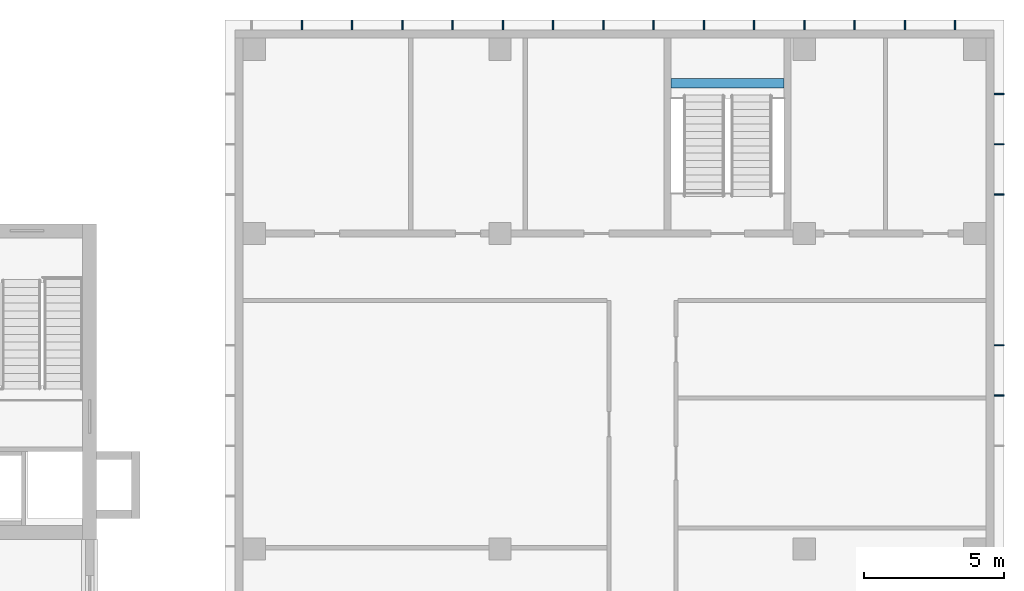
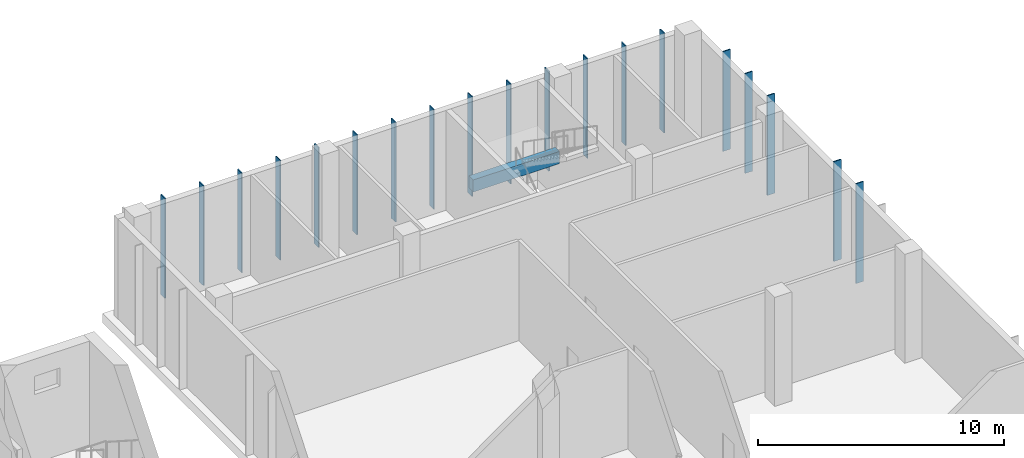
# One storey, part 13 of 38: 19 members, 1 beam.
"""IFC4 building model written with IfcOpenShell, lengths in metres."""

from ifc_helpers import new_model, si_unit, direction, frame, origin, origin_2d, place, context, subcontext, project, spatial, rectangle, extrude, material, material_profile, profile_set, type_object, element, save


model = new_model("IFC4")

# Units and contexts
model_context = context("Model", 3, precision=1e-05, world=origin(), true_north=direction((0.0, 1.0)))
body_context = subcontext(model_context, "Body", "Model", "MODEL_VIEW")
ifc_project = project(units=[si_unit("LENGTHUNIT", "METRE"), si_unit("AREAUNIT", "SQUARE_METRE"), si_unit("VOLUMEUNIT", "CUBIC_METRE"), si_unit("PLANEANGLEUNIT", "RADIAN"), si_unit("MASSUNIT", "GRAM", prefix="KILO")], contexts=[model_context])

# Site, building, storey
site_placement = place(None, origin())
site = spatial("IfcSite", under=ifc_project, at=site_placement, CompositionType="ELEMENT")
building_placement = place(site_placement, origin())
building = spatial("IfcBuilding", under=site, at=building_placement, Name="Basin Gate Institute", CompositionType="ELEMENT")
storey_placement = place(building_placement, frame((0.0, 0.0, 16.800048828125)))
storey = spatial("IfcBuildingStorey", under=building, at=storey_placement, Name="L03", CompositionType="ELEMENT", Elevation=16.800048828125)

# Beam
ifc_material_1 = material(Name="Concrete 40 MPa", Category="concrete")
ifc_material_profile_1 = material_profile(ifc_material_1, rectangle(XDim=0.35009765625, YDim=0.60009765625, at=origin_2d()), Name="Beam B4 350 x 600")
ifc_profile_set_1 = profile_set([ifc_material_profile_1], Name="Concrete 40 MPa")
beam_type = type_object("IfcBeamType", Name="Beam B4 R180", PredefinedType="BEAM", material=ifc_profile_set_1)
beam_placement = place(storey_placement, frame((139.625, 105.183837890625, 2.199951171875), z_axis=(1.0, 0.0, 0.0), x_axis=(0.0, 1.0, 0.0)))
element("IfcBeam", 1, at=beam_placement, inside=storey, type_object=beam_type, material=ifc_profile_set_1, Name="Stair landing beam ST-C8 L03", PredefinedType="BEAM", context=body_context, shape_type="SweptSolid", body=[
    extrude(rectangle(XDim=0.35009765625, YDim=0.60009765625, at=origin_2d()), origin(), (0.0, 0.0, 1.0), 4.050048828125),
])

# Members
ifc_material_2 = material(Name="Anodised aluminium", Category="aluminium")
ifc_material_profile_2 = material_profile(ifc_material_2, rectangle(XDim=0.050048828125, YDim=0.35009765625, at=origin_2d()), Name="Louvre fin CF1 50 x 350")
ifc_profile_set_2 = profile_set([ifc_material_profile_2], Name="Anodised aluminium")
member_type = type_object("IfcMemberType", Name="Louvre fin CF1", PredefinedType="PLATE", material=ifc_profile_set_2)
for number, where, z_axis, x_axis, name in (
    (2, (126.39990234375, 107.27490234375, 0.0), (0.0, 0.0, 1.0), (1.0, 0.0, 0.0), "Louvre fin CF1 N2 L03"),
    (3, (128.199951171875, 107.27490234375, 0.0), (0.0, 0.0, 1.0), (1.0, 0.0, 0.0), "Louvre fin CF1 N3 L03"),
    (4, (130.0, 107.27490234375, 0.0), (0.0, 0.0, 1.0), (1.0, 0.0, 0.0), "Louvre fin CF1 N4 L03"),
    (5, (131.800048828125, 107.27490234375, 0.0), (0.0, 0.0, 1.0), (1.0, 0.0, 0.0), "Louvre fin CF1 N5 L03"),
    (6, (133.60009765625, 107.27490234375, 0.0), (0.0, 0.0, 1.0), (1.0, 0.0, 0.0), "Louvre fin CF1 N6 L03"),
    (7, (135.39990234375, 107.27490234375, 0.0), (0.0, 0.0, 1.0), (1.0, 0.0, 0.0), "Louvre fin CF1 N7 L03"),
    (8, (137.199951171875, 107.27490234375, 0.0), (0.0, 0.0, 1.0), (1.0, 0.0, 0.0), "Louvre fin CF1 N8 L03"),
    (9, (139.0, 107.27490234375, 0.0), (0.0, 0.0, 1.0), (1.0, 0.0, 0.0), "Louvre fin CF1 N9 L03"),
    (10, (140.800048828125, 107.27490234375, 0.0), (0.0, 0.0, 1.0), (1.0, 0.0, 0.0), "Louvre fin CF1 N10 L03"),
    (11, (142.60009765625, 107.27490234375, 0.0), (0.0, 0.0, 1.0), (1.0, 0.0, 0.0), "Louvre fin CF1 N11 L03"),
    (12, (144.39990234375, 107.27490234375, 0.0), (0.0, 0.0, 1.0), (1.0, 0.0, 0.0), "Louvre fin CF1 N12 L03"),
    (13, (146.199951171875, 107.27490234375, 0.0), (0.0, 0.0, 1.0), (1.0, 0.0, 0.0), "Louvre fin CF1 N13 L03"),
    (14, (148.0, 107.27490234375, 0.0), (0.0, 0.0, 1.0), (1.0, 0.0, 0.0), "Louvre fin CF1 N14 L03"),
    (15, (149.800048828125, 107.27490234375, 0.0), (0.0, 0.0, 1.0), (1.0, 0.0, 0.0), "Louvre fin CF1 N15 L03"),
    (16, (151.375, 94.0, 0.0), (0.0, 0.0, 1.0), (0.0, 1.0, 0.0), "Louvre fin CF1 E14 L03"),
    (17, (151.375, 95.800048828125, 0.0), (0.0, 0.0, 1.0), (0.0, 1.0, 0.0), "Louvre fin CF1 E15 L03"),
    (18, (151.375, 101.199951171875, 0.0), (0.0, 0.0, 1.0), (0.0, 1.0, 0.0), "Louvre fin CF1 E18 L03"),
    (19, (151.375, 103.0, 0.0), (0.0, 0.0, 1.0), (0.0, 1.0, 0.0), "Louvre fin CF1 E19 L03"),
    (20, (151.375, 104.800048828125, 0.0), (0.0, 0.0, 1.0), (0.0, 1.0, 0.0), "Louvre fin CF1 E20 L03"),
):
    element("IfcMember", number, at=place(storey_placement, frame(where, z_axis=z_axis, x_axis=x_axis)), inside=storey, type_object=member_type, material=ifc_profile_set_2, Name=name, PredefinedType="PLATE", context=body_context, shape_type="SweptSolid", body=[
        extrude(rectangle(XDim=0.050048828125, YDim=0.35009765625, at=origin_2d()), origin(), (0.0, 0.0, 1.0), 4.949951171875),
    ])

save(model, "model.ifc")
